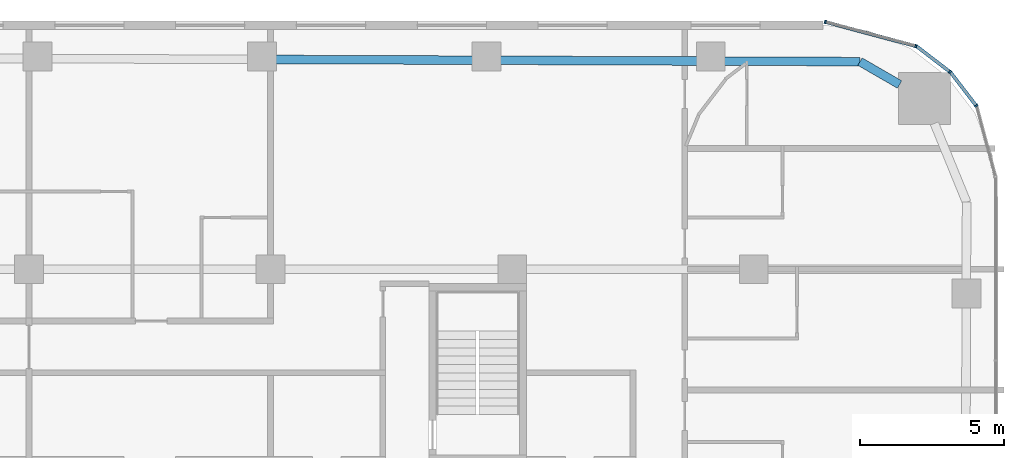
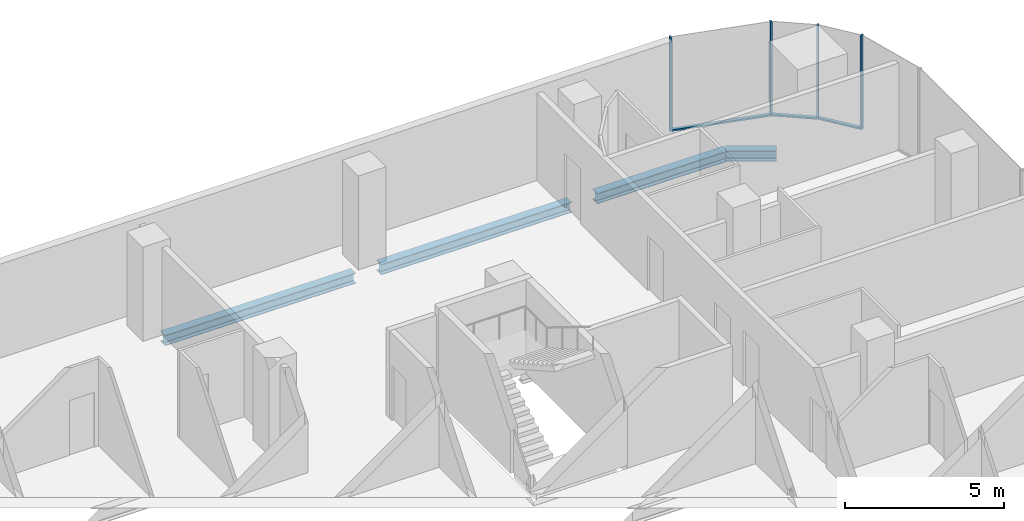
# One storey, part 13 of 25: 7 members, 4 beams, 3 elements without a shape of their own.
"""IFC4 building model written with IfcOpenShell, lengths in metres."""

from ifc_helpers import new_model, si_unit, direction, frame, origin, origin_2d, place, context, subcontext, project, spatial, rectangle, i_section, extrude, material, layer, layer_set, material_profile, profile_set, type_object, element, aggregate, save


model = new_model("IFC4")

# Units and contexts
model_context = context("Model", 3, precision=1e-05, world=origin(), true_north=direction((0.0, 1.0)))
body_context = subcontext(model_context, "Body", "Model", "MODEL_VIEW")
ifc_project = project(units=[si_unit("LENGTHUNIT", "METRE"), si_unit("AREAUNIT", "SQUARE_METRE"), si_unit("VOLUMEUNIT", "CUBIC_METRE"), si_unit("PLANEANGLEUNIT", "RADIAN"), si_unit("MASSUNIT", "GRAM", prefix="KILO")], contexts=[model_context])

# Site, building, storey
site_placement = place(None, origin())
site = spatial("IfcSite", under=ifc_project, at=site_placement, CompositionType="ELEMENT")
building_placement = place(site_placement, origin())
building = spatial("IfcBuilding", under=site, at=building_placement, Name="Marenta Gate Hotel Tower", CompositionType="ELEMENT")
storey_placement = place(building_placement, frame((0.0, 0.0, 50.89990234375)))
storey = spatial("IfcBuildingStorey", under=building, at=storey_placement, Name="L10", CompositionType="ELEMENT", Elevation=50.89990234375)

# Beams
ifc_material_1 = material(Name="Steel S355", Category="steel")
ifc_material_profile_1 = material_profile(ifc_material_1, i_section(OverallWidth=0.300048828125, OverallDepth=0.39990234375, WebThickness=0.013427734375, FlangeThickness=0.02392578125, FilletRadius=0.027099609375, at=origin_2d()), Name="HEB 400")
ifc_profile_set_1 = profile_set([ifc_material_profile_1], Name="Steel S355")
beam_type = type_object("IfcBeamType", Name="Edge beam HEB 400", PredefinedType="SPANDREL", material=ifc_profile_set_1)
for number, where, z_axis, x_axis, name in (
    (1, (4.361328125, 32.4970703125, -0.4599609375), (0.999993064268, -0.003724435008, 0.0), (0.003724435008, 0.999993064268, 0.0), "L10-EB-17"),
    (2, (12.1640625, 32.468017578125, -0.4599609375), (0.999993064268, -0.003724435008, 0.0), (0.003724435008, 0.999993064268, 0.0), "L10-EB-18"),
):
    element("IfcBeam", number, at=place(storey_placement, frame(where, z_axis=z_axis, x_axis=x_axis)), inside=storey, type_object=beam_type, Name=name, PredefinedType="SPANDREL", context=body_context, shape_type="SweptSolid", body=[
        extrude(i_section(OverallWidth=0.300048828125, OverallDepth=0.39990234375, WebThickness=0.013427734375, FlangeThickness=0.02392578125, FilletRadius=0.027099609375, at=origin_2d()), origin(), (0.0, 0.0, 1.0), 6.8828125),
    ])
beam_1_placement = place(storey_placement, frame((19.966796875, 32.43896484375, -0.4599609375), z_axis=(0.999993080272, -0.003720135464, 0.0), x_axis=(0.003720135464, 0.999993080272, 0.0)))
element("IfcBeam", 3, at=beam_1_placement, inside=storey, type_object=beam_type, Name="L10-EB-19", PredefinedType="SPANDREL", context=body_context, shape_type="SweptSolid", body=[
    extrude(i_section(OverallWidth=0.300048828125, OverallDepth=0.39990234375, WebThickness=0.013427734375, FlangeThickness=0.02392578125, FilletRadius=0.027099609375, at=origin_2d()), origin(), (0.0, 0.0, 1.0), 4.72509765625),
])
beam_2_placement = place(storey_placement, frame((24.69189453125, 32.42138671875, -0.4599609375), z_axis=(0.865968422476, -0.500098681536, 0.0), x_axis=(0.500098681536, 0.865968422476, 0.0)))
element("IfcBeam", 4, at=beam_2_placement, inside=storey, type_object=beam_type, Name="L10-EB-20", PredefinedType="SPANDREL", context=body_context, shape_type="SweptSolid", body=[
    extrude(i_section(OverallWidth=0.300048828125, OverallDepth=0.39990234375, WebThickness=0.013427734375, FlangeThickness=0.02392578125, FilletRadius=0.027099609375, at=origin_2d()), origin(), (0.0, 0.0, 1.0), 1.591552734375),
])

# Curtain wall, member
ifc_material_2 = material(Name="Tinted insulated glass in bronze anodised frame", Category="glass")
ifc_layer = layer(ifc_material_2, 0.1201171875)
ifc_layer_set = layer_set([ifc_layer], Name="Tinted insulated glass in bronze anodised frame")
curtain_wall_type = type_object("IfcCurtainWallType", Name="Tower unitised curtain wall CW1", PredefinedType="NOTDEFINED", material=ifc_layer_set)
curtain_wall_1_placement = place(storey_placement, origin())
curtain_wall_1 = element("IfcCurtainWall", 5, at=curtain_wall_1_placement, inside=storey, type_object=curtain_wall_type, Name="CW1 run G13", PredefinedType="NOTDEFINED")
ifc_material_3 = material(Name="Bronze anodised aluminium", Category="aluminium")
ifc_material_profile_2 = material_profile(ifc_material_3, rectangle(XDim=0.1201171875, YDim=0.06005859375, at=origin_2d()), Name="Mullion CW1 60x120 bronze anodised aluminium")
ifc_profile_set_2 = profile_set([ifc_material_profile_2], Name="Bronze anodised aluminium")
member_type_1 = type_object("IfcMemberType", Name="Mullion CW1 60x120 bronze anodised aluminium", PredefinedType="MULLION", material=ifc_profile_set_2)
member_1_placement = place(storey_placement, frame((28.733154296875, 30.888916015625, 0.0), z_axis=(0.0, 0.0, 1.0), x_axis=(-0.79333801153, -0.608781405318, 0.0)))
member_1 = element("IfcMember", 6, at=member_1_placement, type_object=member_type_1, Name="CW1 mullion 1", PredefinedType="MULLION", context=body_context, shape_type="SweptSolid", body=[
    extrude(rectangle(XDim=0.1201171875, YDim=0.06005859375, at=origin_2d()), origin(), (0.0, 0.0, 1.0), 3.60009765625),
])

curtain_wall_2_placement = place(storey_placement, origin())
curtain_wall_2 = element("IfcCurtainWall", 7, at=curtain_wall_2_placement, inside=storey, type_object=curtain_wall_type, Name="CW1 run G14", PredefinedType="NOTDEFINED")
member_2_placement = place(storey_placement, frame((27.82177734375, 32.063720703125, 0.0), z_axis=(0.0, 0.0, 1.0), x_axis=(-0.608781405318, -0.79333801153, 0.0)))
member_2 = element("IfcMember", 8, at=member_2_placement, type_object=member_type_1, Name="CW1 mullion 1", PredefinedType="MULLION", context=body_context, shape_type="SweptSolid", body=[
    extrude(rectangle(XDim=0.1201171875, YDim=0.06005859375, at=origin_2d()), origin(), (0.0, 0.0, 1.0), 3.60009765625),
])

# Curtain wall, members
curtain_wall_3_placement = place(storey_placement, origin())
curtain_wall_3 = element("IfcCurtainWall", 9, at=curtain_wall_3_placement, inside=storey, type_object=curtain_wall_type, Name="CW1 run G15", PredefinedType="NOTDEFINED")
member_3_placement = place(storey_placement, frame((26.63623046875, 32.958984375, 0.0), z_axis=(0.0, 0.0, 1.0), x_axis=(-0.258807310344, -0.965928970532, 0.0)))
member_3 = element("IfcMember", 10, at=member_3_placement, type_object=member_type_1, Name="CW1 mullion 1", PredefinedType="MULLION", context=body_context, shape_type="SweptSolid", body=[
    extrude(rectangle(XDim=0.1201171875, YDim=0.06005859375, at=origin_2d()), origin(), (0.0, 0.0, 1.0), 3.60009765625),
])
member_4_placement = place(storey_placement, frame((23.485595703125, 33.80322265625, 0.0), z_axis=(0.0, 0.0, 1.0), x_axis=(-0.258807310344, -0.965928970532, 0.0)))
member_4 = element("IfcMember", 11, at=member_4_placement, type_object=member_type_1, Name="CW1 mullion 2", PredefinedType="MULLION", context=body_context, shape_type="SweptSolid", body=[
    extrude(rectangle(XDim=0.1201171875, YDim=0.06005859375, at=origin_2d()), origin(), (0.0, 0.0, 1.0), 3.60009765625),
])

# Member
ifc_material_4 = material(Name="Bronze anodised aluminium", Category="aluminium")
ifc_material_profile_3 = material_profile(ifc_material_4, rectangle(XDim=0.1201171875, YDim=0.06005859375, at=origin_2d()), Name="Transom CW1 60x120 bronze anodised aluminium")
ifc_profile_set_3 = profile_set([ifc_material_profile_3], Name="Bronze anodised aluminium")
member_type_2 = type_object("IfcMemberType", Name="Transom CW1 60x120 bronze anodised aluminium", PredefinedType="USERDEFINED", material=ifc_profile_set_3)
member_5_placement = place(storey_placement, frame((28.71484375, 30.91259765625, 0.030029296875), z_axis=(-0.60882629199, 0.793303564963, 0.0), x_axis=(-0.793303564963, -0.60882629199, 0.0)))
member_5 = element("IfcMember", 12, at=member_5_placement, type_object=member_type_2, Name="CW1 transom 1.1", ObjectType="TRANSOM", PredefinedType="USERDEFINED", context=body_context, shape_type="SweptSolid", body=[
    extrude(rectangle(XDim=0.1201171875, YDim=0.06005859375, at=origin_2d()), origin(), (0.0, 0.0, 1.0), 1.427978515625),
])

aggregate(curtain_wall_1, [member_1, member_5])

member_6_placement = place(storey_placement, frame((27.7978515625, 32.08203125, 0.030029296875), z_axis=(-0.793303564963, 0.60882629199, 0.0), x_axis=(-0.60882629199, -0.793303564963, 0.0)))
member_6 = element("IfcMember", 13, at=member_6_placement, type_object=member_type_2, Name="CW1 transom 1.1", ObjectType="TRANSOM", PredefinedType="USERDEFINED", context=body_context, shape_type="SweptSolid", body=[
    extrude(rectangle(XDim=0.1201171875, YDim=0.06005859375, at=origin_2d()), origin(), (0.0, 0.0, 1.0), 1.427978515625),
])

aggregate(curtain_wall_2, [member_2, member_6])

member_7_placement = place(storey_placement, frame((26.607177734375, 32.966796875, 0.030029296875), z_axis=(-0.965933076693, 0.258791984709, 0.0), x_axis=(-0.258791984709, -0.965933076693, 0.0)))
member_7 = element("IfcMember", 14, at=member_7_placement, type_object=member_type_2, Name="CW1 transom 1.1", ObjectType="TRANSOM", PredefinedType="USERDEFINED", context=body_context, shape_type="SweptSolid", body=[
    extrude(rectangle(XDim=0.1201171875, YDim=0.06005859375, at=origin_2d()), origin(), (0.0, 0.0, 1.0), 3.201904296875),
])

aggregate(curtain_wall_3, [member_3, member_4, member_7])

save(model, "model.ifc")
